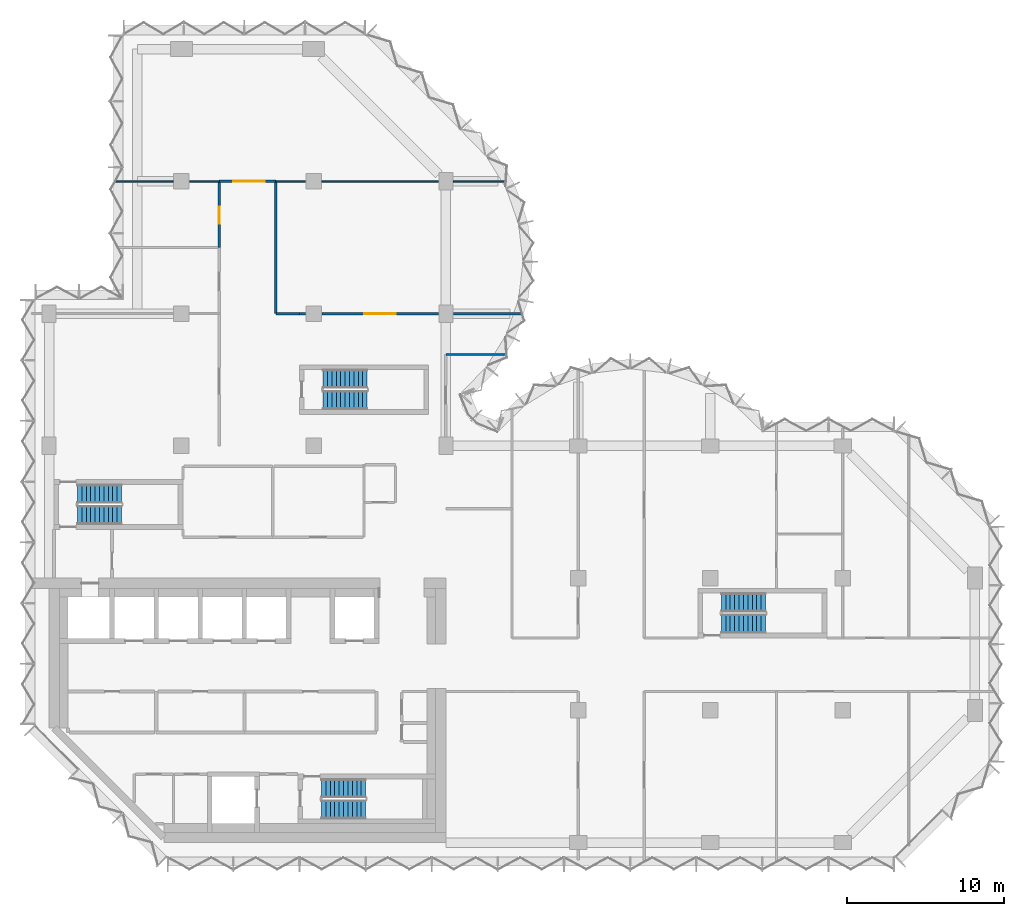
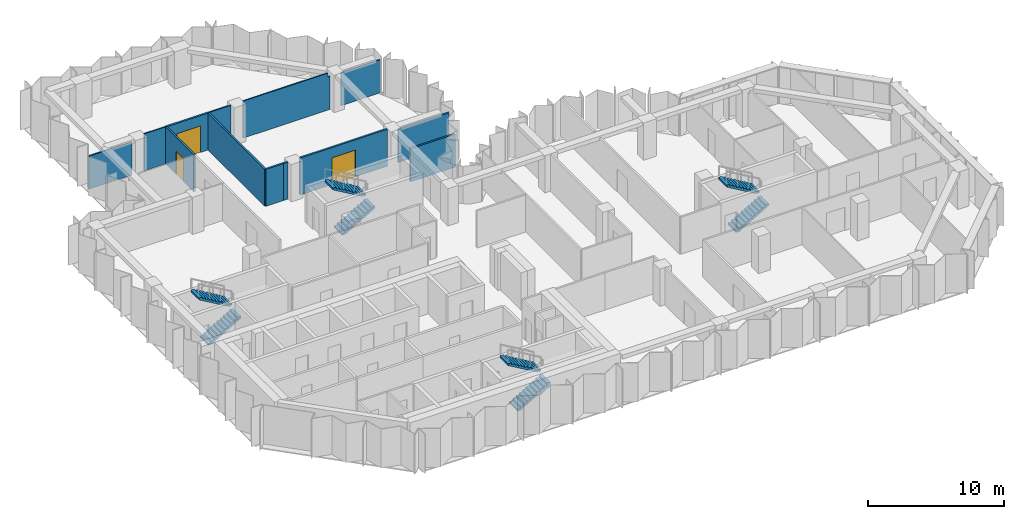
# One storey, part 8 of 10: 13 walls, 8 stair flights, 3 doors, 3 openings, 4 elements without a shape of their own.
"""IFC4 building model written with IfcOpenShell, lengths in metres."""

from ifc_helpers import new_model, si_unit, direction, frame, frame_2d, origin, place, context, subcontext, project, spatial, polyline, rectangle, outline, extrude, material, layer, layer_set, type_object, element, fill, aggregate, save


model = new_model("IFC4")

# Units and contexts
model_context = context("Model", 3, precision=1e-05, world=origin(), true_north=direction((0.0, 1.0)))
body_context = subcontext(model_context, "Body", "Model", "MODEL_VIEW")
ifc_project = project(units=[si_unit("LENGTHUNIT", "METRE"), si_unit("AREAUNIT", "SQUARE_METRE"), si_unit("VOLUMEUNIT", "CUBIC_METRE"), si_unit("PLANEANGLEUNIT", "RADIAN"), si_unit("MASSUNIT", "GRAM", prefix="KILO")], contexts=[model_context])

# Site, building, storey
site_placement = place(None, origin())
site = spatial("IfcSite", under=ifc_project, at=site_placement, CompositionType="ELEMENT")
building_placement = place(site_placement, origin())
building = spatial("IfcBuilding", under=site, at=building_placement, Name="Brevane Broadcast Tower", CompositionType="ELEMENT")
storey_placement = place(building_placement, frame((0.0, 0.0, 181.199951171875)))
storey = spatial("IfcBuildingStorey", under=building, at=storey_placement, Name="L45", CompositionType="ELEMENT", Elevation=181.199951171875)

# Walls
ifc_material_1 = material(Name="Gypsum board partition")
ifc_layer_1 = layer(ifc_material_1, 0.10009765625)
ifc_layer_set_1 = layer_set([ifc_layer_1], Name="PARTITION 100 STUD")
wall_type_1 = type_object("IfcWallType", Name="PARTITION 100 STUD", PredefinedType="PARTITIONING", material=ifc_layer_set_1)
wall_1_placement = place(storey_placement, frame((10.800048828125, 42.0, 0.0), z_axis=(0.0, 0.0, 1.0), x_axis=(-1.0, 0.0, 0.0)))
element("IfcWall", 1, at=wall_1_placement, inside=storey, type_object=wall_type_1, Name="Partition G13-043", PredefinedType="PARTITIONING", context=body_context, shape_type="SweptSolid", body=[
    extrude(rectangle(XDim=1.880126953125, YDim=0.10009765625, at=frame_2d((0.93994140625, 0.0))), origin(), (0.0, 0.0, 1.0), 3.330078125),
])
wall_2_placement = place(storey_placement, frame((7.8798828125, 42.0, 0.0), z_axis=(0.0, 0.0, 1.0), x_axis=(-1.0, 0.0, 0.0)))
element("IfcWall", 2, at=wall_2_placement, inside=storey, type_object=wall_type_1, Name="Partition G13-044", PredefinedType="PARTITIONING", context=body_context, shape_type="SweptSolid", body=[
    extrude(rectangle(XDim=3.644775390625, YDim=0.10009765625, at=frame_2d((1.822265625, 0.0))), origin(), (0.0, 0.0, 1.0), 2.97998046875),
])
wall_3_placement = place(storey_placement, frame((29.011474609375, 42.0, 0.0), z_axis=(0.0, 0.0, 1.0), x_axis=(-1.0, 0.0, 0.0)))
element("IfcWall", 3, at=wall_3_placement, inside=storey, type_object=wall_type_1, Name="Partition G13-045", PredefinedType="PARTITIONING", context=body_context, shape_type="SweptSolid", body=[
    extrude(rectangle(XDim=3.341552734375, YDim=0.10009765625, at=frame_2d((1.6708984375, 0.0))), origin(), (0.0, 0.0, 1.0), 2.97998046875),
])
wall_4_placement = place(storey_placement, frame((24.72998046875, 42.0, 0.0), z_axis=(0.0, 0.0, 1.0), x_axis=(-1.0, 0.0, 0.0)))
element("IfcWall", 4, at=wall_4_placement, inside=storey, type_object=wall_type_1, Name="Partition G13-046", PredefinedType="PARTITIONING", context=body_context, shape_type="SweptSolid", body=[
    extrude(outline(polyline([(0.0, 0.0), (7.409912109375, 0.0), (7.409912109375, 3.330078125), (0.19580078125, 3.330078125), (0.193603515625, 2.97998046875), (0.0, 2.97998046875), (0.0, 0.0)])), frame((0.0, 0.050048828125, 0.0), z_axis=(0.0, -1.0, 0.0), x_axis=(1.0, 0.0, 0.0)), (0.0, 0.0, 1.0), 0.10009765625),
])
wall_5_placement = place(storey_placement, frame((16.280029296875, 42.0, 0.0), z_axis=(0.0, 0.0, 1.0), x_axis=(-1.0, 0.0, 0.0)))
element("IfcWall", 5, at=wall_5_placement, inside=storey, type_object=wall_type_1, Name="Partition G13-047", PredefinedType="PARTITIONING", context=body_context, shape_type="SweptSolid", body=[
    extrude(rectangle(XDim=1.880126953125, YDim=0.10009765625, at=frame_2d((0.93994140625, 0.0))), origin(), (0.0, 0.0, 1.0), 3.330078125),
])
ifc_layer_2 = layer(ifc_material_1, 0.14990234375)
ifc_layer_set_2 = layer_set([ifc_layer_2], Name="PARTITION 150 EI 60")
wall_type_2 = type_object("IfcWallType", Name="PARTITION 150 EI 60", PredefinedType="PARTITIONING", material=ifc_layer_set_2)
wall_6_placement = place(storey_placement, frame((25.199951171875, 31.0, 0.0), z_axis=(0.0, 0.0, 1.0), x_axis=(1.0, 0.0, 0.0)))
element("IfcWall", 6, at=wall_6_placement, inside=storey, type_object=wall_type_2, Name="Partition G13-006", PredefinedType="PARTITIONING", context=body_context, shape_type="SweptSolid", body=[
    extrude(rectangle(XDim=3.80615234375, YDim=0.14990234375, at=frame_2d((1.903076171875, 0.0))), origin(), (0.0, 0.0, 1.0), 2.97998046875),
])
wall_7_placement = place(storey_placement, frame((14.39990234375, 33.60009765625, 0.0), z_axis=(0.0, 0.0, 1.0), x_axis=(1.0, 0.0, 0.0)))
element("IfcWall", 7, at=wall_7_placement, inside=storey, type_object=wall_type_2, Name="Partition G13-035", PredefinedType="PARTITIONING", context=body_context, shape_type="SweptSolid", body=[
    extrude(rectangle(XDim=1.5, YDim=0.14990234375, at=frame_2d((0.75, 0.0))), origin(), (0.0, 0.0, 1.0), 3.330078125),
])
wall_8_placement = place(storey_placement, frame((15.89990234375, 33.60009765625, 0.0), z_axis=(0.0, 0.0, 1.0), x_axis=(1.0, 0.0, 0.0)))
element("IfcWall", 8, at=wall_8_placement, inside=storey, type_object=wall_type_2, Name="Partition G13-036", PredefinedType="PARTITIONING", context=body_context, shape_type="SweptSolid", body=[
    extrude(rectangle(XDim=0.380126953125, YDim=0.14990234375, at=frame_2d((0.18994140625, 0.0))), origin(), (0.0, 0.0, 1.0), 3.330078125),
])

# Wall, opening, door
wall_9_placement = place(storey_placement, frame((17.320068359375, 33.60009765625, 0.0), z_axis=(0.0, 0.0, 1.0), x_axis=(1.0, 0.0, 0.0)))
wall_9 = element("IfcWall", 9, at=wall_9_placement, inside=storey, type_object=wall_type_2, Name="Partition G13-037", PredefinedType="PARTITIONING", context=body_context, shape_type="SweptSolid", body=[
    extrude(rectangle(XDim=7.409912109375, YDim=0.14990234375, at=frame_2d((3.705078125, 0.0))), origin(), (0.0, 0.0, 1.0), 3.330078125),
])
opening_1_placement = place(wall_9_placement, frame((2.699951171875, 0.0, 0.0)))
opening_1 = element("IfcOpeningElement", 10, at=opening_1_placement, cuts=wall_9, Name="Opening D22-016", PredefinedType="OPENING", context=body_context, shape_type="SweptSolid", body=[
    extrude(rectangle(XDim=2.0, YDim=2.39990234375, at=frame_2d((1.0, 1.199951171875))), frame((0.0, 0.0849609375, 0.0), z_axis=(0.0, -1.0, 0.0), x_axis=(1.0, 0.0, 0.0)), (0.0, 0.0, 1.0), 0.169921875),
])
ifc_material_2 = material(Name="Fire-rated timber door leaf", Category="wood")
door_type_1 = type_object("IfcDoorType", Name="DOOR DOUBLE 2000 FD30S", OperationType="DOUBLE_DOOR_SINGLE_SWING", PredefinedType="DOOR", material=ifc_material_2)
door_1_placement = place(opening_1_placement, origin())
door_1 = element("IfcDoor", 11, at=door_1_placement, inside=storey, type_object=door_type_1, Name="Door D22-016", OperationType="DOUBLE_DOOR_SINGLE_SWING", OverallHeight=2.39990234375, OverallWidth=2.0, PredefinedType="DOOR", context=body_context, shape_type="SweptSolid", body=[
    extrude(rectangle(XDim=2.0, YDim=2.39990234375, at=frame_2d((1.0, 1.199951171875))), frame((0.0, 0.02490234375, 0.0), z_axis=(0.0, -1.0, 0.0), x_axis=(1.0, 0.0, 0.0)), (0.0, 0.0, 1.0), 0.050048828125),
])
fill(opening_1, door_1)

# Wall
wall_10_placement = place(storey_placement, frame((25.669921875, 33.60009765625, 0.0), z_axis=(0.0, 0.0, 1.0), x_axis=(1.0, 0.0, 0.0)))
element("IfcWall", 12, at=wall_10_placement, inside=storey, type_object=wall_type_2, Name="Partition G13-038", PredefinedType="PARTITIONING", context=body_context, shape_type="SweptSolid", body=[
    extrude(rectangle(XDim=4.318359375, YDim=0.14990234375, at=frame_2d((2.1591796875, 0.0))), origin(), (0.0, 0.0, 1.0), 2.97998046875),
])

# Wall, opening, door
wall_11_placement = place(storey_placement, frame((10.800048828125, 42.0, 0.0), z_axis=(0.0, 0.0, 1.0), x_axis=(1.0, 0.0, 0.0)))
wall_11 = element("IfcWall", 13, at=wall_11_placement, inside=storey, type_object=wall_type_2, Name="Partition G13-039", PredefinedType="PARTITIONING", context=body_context, shape_type="SweptSolid", body=[
    extrude(rectangle(XDim=3.599853515625, YDim=0.14990234375, at=frame_2d((1.7998046875, 0.0))), origin(), (0.0, 0.0, 1.0), 3.330078125),
])
opening_2_placement = place(wall_11_placement, frame((0.89990234375, 0.0, 0.0)))
opening_2 = element("IfcOpeningElement", 14, at=opening_2_placement, cuts=wall_11, Name="Opening D22-012", PredefinedType="OPENING", context=body_context, shape_type="SweptSolid", body=[
    extrude(rectangle(XDim=2.0, YDim=2.39990234375, at=frame_2d((1.0, 1.199951171875))), frame((0.0, 0.0849609375, 0.0), z_axis=(0.0, -1.0, 0.0), x_axis=(1.0, 0.0, 0.0)), (0.0, 0.0, 1.0), 0.169921875),
])
door_2_placement = place(opening_2_placement, origin())
door_2 = element("IfcDoor", 15, at=door_2_placement, inside=storey, type_object=door_type_1, Name="Door D22-012", OperationType="DOUBLE_DOOR_SINGLE_SWING", OverallHeight=2.39990234375, OverallWidth=2.0, PredefinedType="DOOR", context=body_context, shape_type="SweptSolid", body=[
    extrude(rectangle(XDim=2.0, YDim=2.39990234375, at=frame_2d((1.0, 1.199951171875))), frame((0.0, 0.02490234375, 0.0), z_axis=(0.0, -1.0, 0.0), x_axis=(1.0, 0.0, 0.0)), (0.0, 0.0, 1.0), 0.050048828125),
])
fill(opening_2, door_2)

wall_12_placement = place(storey_placement, frame((10.800048828125, 37.800048828125, 0.0), z_axis=(0.0, 0.0, 1.0), x_axis=(0.0, 1.0, 0.0)))
wall_12 = element("IfcWall", 16, at=wall_12_placement, inside=storey, type_object=wall_type_2, Name="Partition G13-041", PredefinedType="PARTITIONING", context=body_context, shape_type="SweptSolid", body=[
    extrude(rectangle(XDim=4.199951171875, YDim=0.14990234375, at=frame_2d((2.10009765625, 0.0))), origin(), (0.0, 0.0, 1.0), 3.330078125),
])
opening_3_placement = place(wall_12_placement, frame((1.5, 0.0, 0.0)))
opening_3 = element("IfcOpeningElement", 17, at=opening_3_placement, cuts=wall_12, Name="Opening D22-015", PredefinedType="OPENING", context=body_context, shape_type="SweptSolid", body=[
    extrude(rectangle(XDim=1.10009765625, YDim=2.10009765625, at=frame_2d((0.550048828125, 1.050048828125))), frame((0.0, 0.0849609375, 0.0), z_axis=(0.0, -1.0, 0.0), x_axis=(1.0, 0.0, 0.0)), (0.0, 0.0, 1.0), 0.169921875),
])
door_type_2 = type_object("IfcDoorType", Name="DOOR SINGLE 1100 FD30S", OperationType="SINGLE_SWING_LEFT", PredefinedType="DOOR", material=ifc_material_2)
door_3_placement = place(opening_3_placement, origin())
door_3 = element("IfcDoor", 18, at=door_3_placement, inside=storey, type_object=door_type_2, Name="Door D22-015", OperationType="SINGLE_SWING_LEFT", OverallHeight=2.10009765625, OverallWidth=1.10009765625, PredefinedType="DOOR", context=body_context, shape_type="SweptSolid", body=[
    extrude(rectangle(XDim=1.10009765625, YDim=2.10009765625, at=frame_2d((0.550048828125, 1.050048828125))), frame((0.0, 0.02490234375, 0.0), z_axis=(0.0, -1.0, 0.0), x_axis=(1.0, 0.0, 0.0)), (0.0, 0.0, 1.0), 0.050048828125),
])
fill(opening_3, door_3)

# Wall
wall_13_placement = place(storey_placement, frame((14.39990234375, 42.0, 0.0), z_axis=(0.0, 0.0, 1.0), x_axis=(0.0, -1.0, 0.0)))
element("IfcWall", 19, at=wall_13_placement, inside=storey, type_object=wall_type_2, Name="Partition G13-042", PredefinedType="PARTITIONING", context=body_context, shape_type="SweptSolid", body=[
    extrude(rectangle(XDim=8.39990234375, YDim=0.14990234375, at=frame_2d((4.199951171875, 0.0))), origin(), (0.0, 0.0, 1.0), 3.330078125),
])

# Stair, stair flights
ifc_material_3 = material(Name="Concrete C50/60", Category="concrete")
stair_type = type_object("IfcStairType", Name="Exit stair 22 risers", PredefinedType="HALF_TURN_STAIR", material=ifc_material_3)
stair_1_placement = place(storey_placement, origin())
stair_1 = element("IfcStair", 20, at=stair_1_placement, inside=storey, type_object=stair_type, Name="L45 Exit stair ST-1", PredefinedType="HALF_TURN_STAIR")
stair_flight_type = type_object("IfcStairFlightType", Name="Exit stair flight 22 risers", PredefinedType="STRAIGHT", material=ifc_material_3)
stair_flight_1_placement = place(storey_placement, frame((1.800048828125, 20.800048828125, 0.0), z_axis=(0.0, 0.0, 1.0), x_axis=(1.0, 0.0, 0.0)))
stair_flight_1 = element("IfcStairFlight", 21, at=stair_flight_1_placement, type_object=stair_flight_type, Name="ST-1 flight 1", NumberOfRisers=11, NumberOfTreads=10, PredefinedType="STRAIGHT", RiserHeight=0.163636364, TreadLength=0.28, context=body_context, shape_type="SweptSolid", body=[
    extrude(outline(polyline([(0.0, 0.0), (0.0, 0.16357421875), (0.280029296875, 0.16357421875), (0.280029296875, 0.327392578125), (0.56005859375, 0.327392578125), (0.56005859375, 0.490966796875), (0.840087890625, 0.490966796875), (0.840087890625, 0.654541015625), (1.1201171875, 0.654541015625), (1.1201171875, 0.818115234375), (1.39990234375, 0.818115234375), (1.39990234375, 0.98193359375), (1.679931640625, 0.98193359375), (1.679931640625, 1.1455078125), (1.9599609375, 1.1455078125), (1.9599609375, 1.30908203125), (2.239990234375, 1.30908203125), (2.239990234375, 1.47265625), (2.52001953125, 1.47265625), (2.52001953125, 1.636474609375), (2.800048828125, 1.636474609375), (2.800048828125, 1.800048828125), (2.800048828125, 1.462646484375), (0.297119140625, 0.0), (0.0, 0.0)])), frame((0.0, 0.60009765625, 0.0), z_axis=(0.0, -1.0, 0.0), x_axis=(1.0, 0.0, 0.0)), (0.0, 0.0, 1.0), 1.199951171875),
])
stair_flight_2_placement = place(storey_placement, frame((4.60009765625, 22.14990234375, 1.800048828125), z_axis=(0.0, 0.0, 1.0), x_axis=(-1.0, 0.0, 0.0)))
stair_flight_2 = element("IfcStairFlight", 22, at=stair_flight_2_placement, type_object=stair_flight_type, Name="ST-1 flight 2", NumberOfRisers=11, NumberOfTreads=10, PredefinedType="STRAIGHT", RiserHeight=0.163636364, TreadLength=0.28, context=body_context, shape_type="SweptSolid", body=[
    extrude(outline(polyline([(0.0, 0.0), (0.0, 0.16357421875), (0.280029296875, 0.16357421875), (0.280029296875, 0.327392578125), (0.56005859375, 0.327392578125), (0.56005859375, 0.490966796875), (0.840087890625, 0.490966796875), (0.840087890625, 0.654541015625), (1.1201171875, 0.654541015625), (1.1201171875, 0.818115234375), (1.39990234375, 0.818115234375), (1.39990234375, 0.98193359375), (1.679931640625, 0.98193359375), (1.679931640625, 1.1455078125), (1.9599609375, 1.1455078125), (1.9599609375, 1.30908203125), (2.239990234375, 1.30908203125), (2.239990234375, 1.47265625), (2.52001953125, 1.47265625), (2.52001953125, 1.636474609375), (2.800048828125, 1.636474609375), (2.800048828125, 1.800048828125), (2.800048828125, 1.462646484375), (0.297119140625, 0.0), (0.0, 0.0)])), frame((0.0, 0.60009765625, 0.0), z_axis=(0.0, -1.0, 0.0), x_axis=(1.0, 0.0, 0.0)), (0.0, 0.0, 1.0), 1.199951171875),
])
aggregate(stair_1, [stair_flight_1, stair_flight_2])

stair_2_placement = place(storey_placement, origin())
stair_2 = element("IfcStair", 23, at=stair_2_placement, inside=storey, type_object=stair_type, Name="L45 Exit stair ST-2", PredefinedType="HALF_TURN_STAIR")
stair_flight_3_placement = place(storey_placement, frame((17.300048828125, 2.10009765625, 0.0), z_axis=(0.0, 0.0, 1.0), x_axis=(1.0, 0.0, 0.0)))
stair_flight_3 = element("IfcStairFlight", 24, at=stair_flight_3_placement, type_object=stair_flight_type, Name="ST-2 flight 1", NumberOfRisers=11, NumberOfTreads=10, PredefinedType="STRAIGHT", RiserHeight=0.163636364, TreadLength=0.28, context=body_context, shape_type="SweptSolid", body=[
    extrude(outline(polyline([(0.0, 0.0), (0.0, 0.16357421875), (0.280029296875, 0.16357421875), (0.280029296875, 0.327392578125), (0.56005859375, 0.327392578125), (0.56005859375, 0.490966796875), (0.840087890625, 0.490966796875), (0.840087890625, 0.654541015625), (1.1201171875, 0.654541015625), (1.1201171875, 0.818115234375), (1.39990234375, 0.818115234375), (1.39990234375, 0.98193359375), (1.679931640625, 0.98193359375), (1.679931640625, 1.1455078125), (1.9599609375, 1.1455078125), (1.9599609375, 1.30908203125), (2.239990234375, 1.30908203125), (2.239990234375, 1.47265625), (2.52001953125, 1.47265625), (2.52001953125, 1.636474609375), (2.800048828125, 1.636474609375), (2.800048828125, 1.800048828125), (2.800048828125, 1.462646484375), (0.297119140625, 0.0), (0.0, 0.0)])), frame((0.0, 0.60009765625, 0.0), z_axis=(0.0, -1.0, 0.0), x_axis=(1.0, 0.0, 0.0)), (0.0, 0.0, 1.0), 1.199951171875),
])
stair_flight_4_placement = place(storey_placement, frame((20.10009765625, 3.449951171875, 1.800048828125), z_axis=(0.0, 0.0, 1.0), x_axis=(-1.0, 0.0, 0.0)))
stair_flight_4 = element("IfcStairFlight", 25, at=stair_flight_4_placement, type_object=stair_flight_type, Name="ST-2 flight 2", NumberOfRisers=11, NumberOfTreads=10, PredefinedType="STRAIGHT", RiserHeight=0.163636364, TreadLength=0.28, context=body_context, shape_type="SweptSolid", body=[
    extrude(outline(polyline([(0.0, 0.0), (0.0, 0.16357421875), (0.280029296875, 0.16357421875), (0.280029296875, 0.327392578125), (0.56005859375, 0.327392578125), (0.56005859375, 0.490966796875), (0.840087890625, 0.490966796875), (0.840087890625, 0.654541015625), (1.1201171875, 0.654541015625), (1.1201171875, 0.818115234375), (1.39990234375, 0.818115234375), (1.39990234375, 0.98193359375), (1.679931640625, 0.98193359375), (1.679931640625, 1.1455078125), (1.9599609375, 1.1455078125), (1.9599609375, 1.30908203125), (2.239990234375, 1.30908203125), (2.239990234375, 1.47265625), (2.52001953125, 1.47265625), (2.52001953125, 1.636474609375), (2.800048828125, 1.636474609375), (2.800048828125, 1.800048828125), (2.800048828125, 1.462646484375), (0.297119140625, 0.0), (0.0, 0.0)])), frame((0.0, 0.60009765625, 0.0), z_axis=(0.0, -1.0, 0.0), x_axis=(1.0, 0.0, 0.0)), (0.0, 0.0, 1.0), 1.199951171875),
])
aggregate(stair_2, [stair_flight_3, stair_flight_4])

stair_3_placement = place(storey_placement, origin())
stair_3 = element("IfcStair", 26, at=stair_3_placement, inside=storey, type_object=stair_type, Name="L45 Exit stair ST-3", PredefinedType="HALF_TURN_STAIR")
stair_flight_5_placement = place(storey_placement, frame((17.39990234375, 28.10009765625, 0.0), z_axis=(0.0, 0.0, 1.0), x_axis=(1.0, 0.0, 0.0)))
stair_flight_5 = element("IfcStairFlight", 27, at=stair_flight_5_placement, type_object=stair_flight_type, Name="ST-3 flight 1", NumberOfRisers=11, NumberOfTreads=10, PredefinedType="STRAIGHT", RiserHeight=0.163636364, TreadLength=0.28, context=body_context, shape_type="SweptSolid", body=[
    extrude(outline(polyline([(0.0, 0.0), (0.0, 0.16357421875), (0.280029296875, 0.16357421875), (0.280029296875, 0.327392578125), (0.56005859375, 0.327392578125), (0.56005859375, 0.490966796875), (0.840087890625, 0.490966796875), (0.840087890625, 0.654541015625), (1.1201171875, 0.654541015625), (1.1201171875, 0.818115234375), (1.39990234375, 0.818115234375), (1.39990234375, 0.98193359375), (1.679931640625, 0.98193359375), (1.679931640625, 1.1455078125), (1.9599609375, 1.1455078125), (1.9599609375, 1.30908203125), (2.239990234375, 1.30908203125), (2.239990234375, 1.47265625), (2.52001953125, 1.47265625), (2.52001953125, 1.636474609375), (2.800048828125, 1.636474609375), (2.800048828125, 1.800048828125), (2.800048828125, 1.462646484375), (0.297119140625, 0.0), (0.0, 0.0)])), frame((0.0, 0.60009765625, 0.0), z_axis=(0.0, -1.0, 0.0), x_axis=(1.0, 0.0, 0.0)), (0.0, 0.0, 1.0), 1.199951171875),
])
stair_flight_6_placement = place(storey_placement, frame((20.199951171875, 29.449951171875, 1.800048828125), z_axis=(0.0, 0.0, 1.0), x_axis=(-1.0, 0.0, 0.0)))
stair_flight_6 = element("IfcStairFlight", 28, at=stair_flight_6_placement, type_object=stair_flight_type, Name="ST-3 flight 2", NumberOfRisers=11, NumberOfTreads=10, PredefinedType="STRAIGHT", RiserHeight=0.163636364, TreadLength=0.28, context=body_context, shape_type="SweptSolid", body=[
    extrude(outline(polyline([(0.0, 0.0), (0.0, 0.16357421875), (0.280029296875, 0.16357421875), (0.280029296875, 0.327392578125), (0.56005859375, 0.327392578125), (0.56005859375, 0.490966796875), (0.840087890625, 0.490966796875), (0.840087890625, 0.654541015625), (1.1201171875, 0.654541015625), (1.1201171875, 0.818115234375), (1.39990234375, 0.818115234375), (1.39990234375, 0.98193359375), (1.679931640625, 0.98193359375), (1.679931640625, 1.1455078125), (1.9599609375, 1.1455078125), (1.9599609375, 1.30908203125), (2.239990234375, 1.30908203125), (2.239990234375, 1.47265625), (2.52001953125, 1.47265625), (2.52001953125, 1.636474609375), (2.800048828125, 1.636474609375), (2.800048828125, 1.800048828125), (2.800048828125, 1.462646484375), (0.297119140625, 0.0), (0.0, 0.0)])), frame((0.0, 0.60009765625, 0.0), z_axis=(0.0, -1.0, 0.0), x_axis=(1.0, 0.0, 0.0)), (0.0, 0.0, 1.0), 1.199951171875),
])
aggregate(stair_3, [stair_flight_5, stair_flight_6])

stair_4_placement = place(storey_placement, origin())
stair_4 = element("IfcStair", 29, at=stair_4_placement, inside=storey, type_object=stair_type, Name="L45 Exit stair ST-4", PredefinedType="HALF_TURN_STAIR")
stair_flight_7_placement = place(storey_placement, frame((42.699951171875, 13.89990234375, 0.0), z_axis=(0.0, 0.0, 1.0), x_axis=(1.0, 0.0, 0.0)))
stair_flight_7 = element("IfcStairFlight", 30, at=stair_flight_7_placement, type_object=stair_flight_type, Name="ST-4 flight 1", NumberOfRisers=11, NumberOfTreads=10, PredefinedType="STRAIGHT", RiserHeight=0.163636364, TreadLength=0.28, context=body_context, shape_type="SweptSolid", body=[
    extrude(outline(polyline([(0.0, 0.0), (0.0, 0.16357421875), (0.280029296875, 0.16357421875), (0.280029296875, 0.327392578125), (0.56005859375, 0.327392578125), (0.56005859375, 0.490966796875), (0.840087890625, 0.490966796875), (0.840087890625, 0.654541015625), (1.1201171875, 0.654541015625), (1.1201171875, 0.818115234375), (1.39990234375, 0.818115234375), (1.39990234375, 0.98193359375), (1.679931640625, 0.98193359375), (1.679931640625, 1.1455078125), (1.9599609375, 1.1455078125), (1.9599609375, 1.30908203125), (2.239990234375, 1.30908203125), (2.239990234375, 1.47265625), (2.52001953125, 1.47265625), (2.52001953125, 1.636474609375), (2.800048828125, 1.636474609375), (2.800048828125, 1.800048828125), (2.800048828125, 1.462646484375), (0.297119140625, 0.0), (0.0, 0.0)])), frame((0.0, 0.60009765625, 0.0), z_axis=(0.0, -1.0, 0.0), x_axis=(1.0, 0.0, 0.0)), (0.0, 0.0, 1.0), 1.199951171875),
])
stair_flight_8_placement = place(storey_placement, frame((45.5, 15.25, 1.800048828125), z_axis=(0.0, 0.0, 1.0), x_axis=(-1.0, 0.0, 0.0)))
stair_flight_8 = element("IfcStairFlight", 31, at=stair_flight_8_placement, type_object=stair_flight_type, Name="ST-4 flight 2", NumberOfRisers=11, NumberOfTreads=10, PredefinedType="STRAIGHT", RiserHeight=0.163636364, TreadLength=0.28, context=body_context, shape_type="SweptSolid", body=[
    extrude(outline(polyline([(0.0, 0.0), (0.0, 0.16357421875), (0.280029296875, 0.16357421875), (0.280029296875, 0.327392578125), (0.56005859375, 0.327392578125), (0.56005859375, 0.490966796875), (0.840087890625, 0.490966796875), (0.840087890625, 0.654541015625), (1.1201171875, 0.654541015625), (1.1201171875, 0.818115234375), (1.39990234375, 0.818115234375), (1.39990234375, 0.98193359375), (1.679931640625, 0.98193359375), (1.679931640625, 1.1455078125), (1.9599609375, 1.1455078125), (1.9599609375, 1.30908203125), (2.239990234375, 1.30908203125), (2.239990234375, 1.47265625), (2.52001953125, 1.47265625), (2.52001953125, 1.636474609375), (2.800048828125, 1.636474609375), (2.800048828125, 1.800048828125), (2.800048828125, 1.462646484375), (0.297119140625, 0.0), (0.0, 0.0)])), frame((0.0, 0.60009765625, 0.0), z_axis=(0.0, -1.0, 0.0), x_axis=(1.0, 0.0, 0.0)), (0.0, 0.0, 1.0), 1.199951171875),
])
aggregate(stair_4, [stair_flight_7, stair_flight_8])

save(model, "model.ifc")
